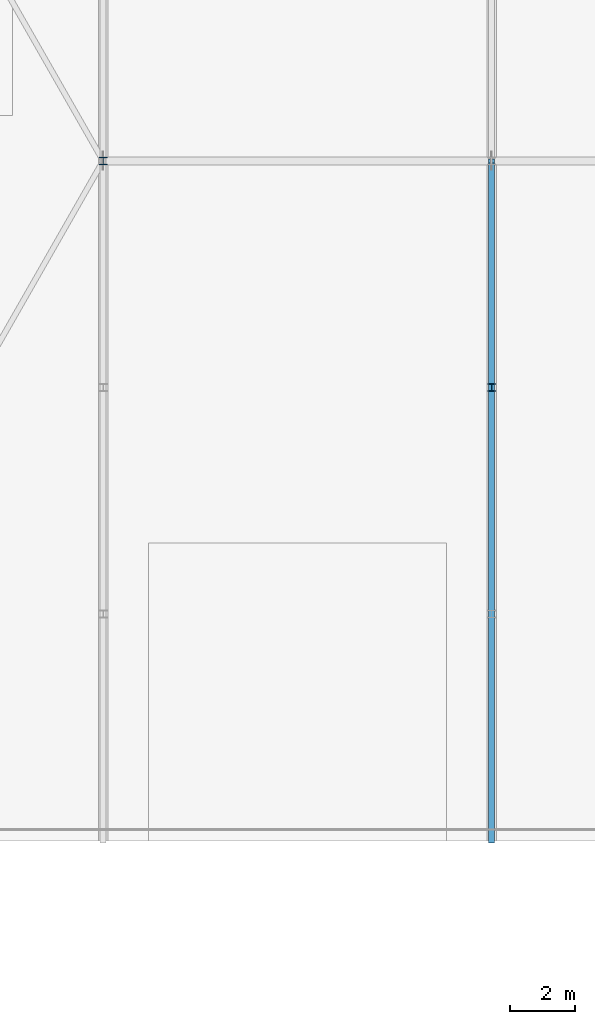
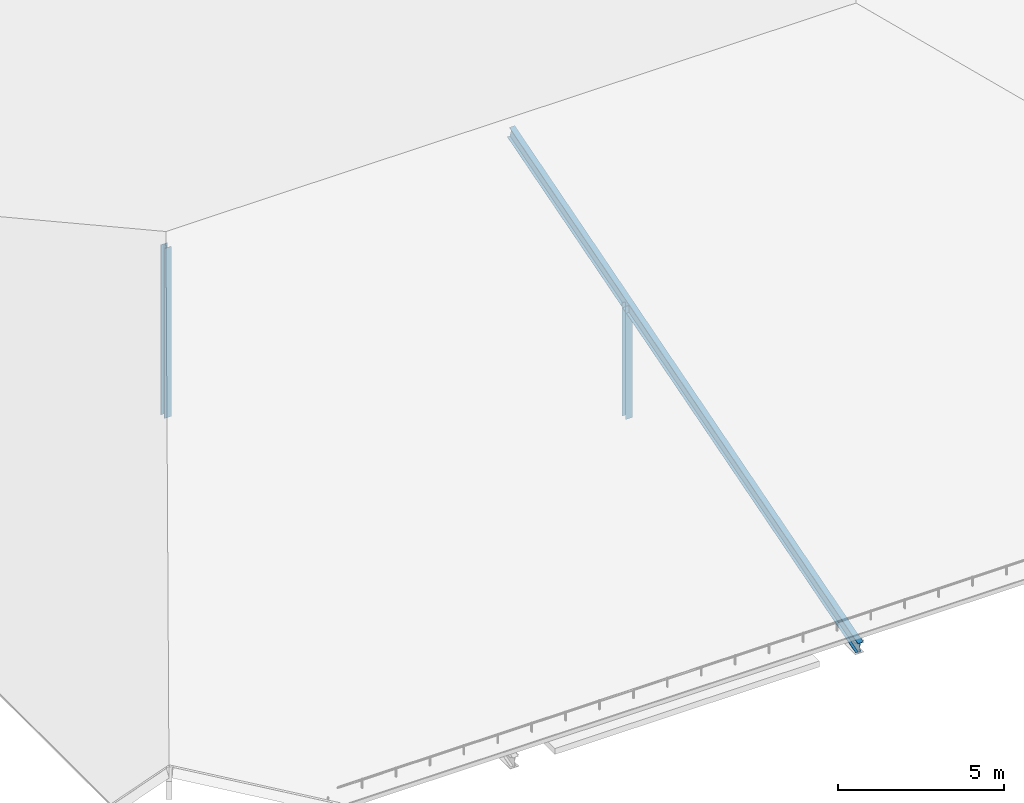
# One storey, part 7 of 204: 3 members.
"""IFC4 building model written with IfcOpenShell, lengths in metres."""

from ifc_helpers import new_model, si_unit, direction, frame, origin, origin_2d, place, context, subcontext, project, spatial, i_section, extrude, material, material_profile, profile_set, type_object, element, save


model = new_model("IFC4")

# Units and contexts
model_context = context("Model", 3, precision=1e-05, world=origin(), true_north=direction((0.0, 1.0)))
body_context = subcontext(model_context, "Body", "Model", "MODEL_VIEW")
ifc_project = project(units=[si_unit("LENGTHUNIT", "METRE"), si_unit("AREAUNIT", "SQUARE_METRE"), si_unit("VOLUMEUNIT", "CUBIC_METRE"), si_unit("PLANEANGLEUNIT", "RADIAN"), si_unit("MASSUNIT", "GRAM", prefix="KILO")], contexts=[model_context])

# Site, building, storey
site_placement = place(None, origin())
site = spatial("IfcSite", under=ifc_project, at=site_placement, CompositionType="ELEMENT")
building_placement = place(site_placement, origin())
building = spatial("IfcBuilding", under=site, at=building_placement, Name="Zilviju Railside Exhibition Hall", CompositionType="ELEMENT")
storey_placement = place(building_placement, frame((0.0, 0.0, 21.0)))
storey = spatial("IfcBuildingStorey", under=building, at=storey_placement, Name="RF", CompositionType="ELEMENT", Elevation=21.0)

# Members
ifc_material = material(Name="Steel S355J2", Category="steel")
ifc_material_profile_1 = material_profile(ifc_material, i_section(OverallWidth=0.239990234375, OverallDepth=0.22998046875, WebThickness=0.007568359375, FlangeThickness=0.011962890625, at=origin_2d()), Name="HEA 240")
ifc_profile_set_1 = profile_set([ifc_material_profile_1], Name="Steel S355J2")
member_type_1 = type_object("IfcMemberType", Name="TR-POST-HEA240", PredefinedType="POST", material=ifc_profile_set_1)
member_1_placement = place(storey_placement, frame((12.0, 57.0, -8.39990234375), z_axis=(0.0, 0.0, 1.0), x_axis=(1.0, 0.0, 0.0)))
element("IfcMember", 1, at=member_1_placement, inside=storey, type_object=member_type_1, Name="Congress Truss Web Post X=12.0", PredefinedType="POST", context=body_context, shape_type="SweptSolid", body=[
    extrude(i_section(OverallWidth=0.239990234375, OverallDepth=0.22998046875, WebThickness=0.007568359375, FlangeThickness=0.011962890625, at=origin_2d()), origin(), (0.0, 0.0, 1.0), 6.25),
])
member_2_placement = place(storey_placement, frame((24.0, 50.0, -8.39990234375), z_axis=(0.0, 0.0, 1.0), x_axis=(1.0, 0.0, 0.0)))
element("IfcMember", 2, at=member_2_placement, inside=storey, type_object=member_type_1, Name="Congress Truss Web Post X=24.0", PredefinedType="POST", context=body_context, shape_type="SweptSolid", body=[
    extrude(i_section(OverallWidth=0.239990234375, OverallDepth=0.22998046875, WebThickness=0.007568359375, FlangeThickness=0.011962890625, at=origin_2d()), origin(), (0.0, 0.0, 1.0), 4.159912109375),
])
ifc_material_profile_2 = material_profile(ifc_material, i_section(OverallWidth=0.18994140625, OverallDepth=0.449951171875, WebThickness=0.009521484375, FlangeThickness=0.0146484375, at=origin_2d()), Name="IPE 450")
ifc_profile_set_2 = profile_set([ifc_material_profile_2], Name="Steel S355J2")
member_type_2 = type_object("IfcMemberType", Name="TR-RAF-IPE450", PredefinedType="RAFTER", material=ifc_profile_set_2)
member_3_placement = place(storey_placement, frame((24.0, 36.0, -8.39990234375), z_axis=(0.0, 0.958452078441, 0.285253594774), x_axis=(-1.0, 0.0, 0.0)))
element("IfcMember", 3, at=member_3_placement, inside=storey, type_object=member_type_2, Name="Congress Pitched Truss South Rafter X=24.0", PredefinedType="RAFTER", context=body_context, shape_type="SweptSolid", body=[
    extrude(i_section(OverallWidth=0.18994140625, OverallDepth=0.449951171875, WebThickness=0.009521484375, FlangeThickness=0.0146484375, at=origin_2d()), origin(), (0.0, 0.0, 1.0), 21.910400390625),
])

save(model, "model.ifc")
